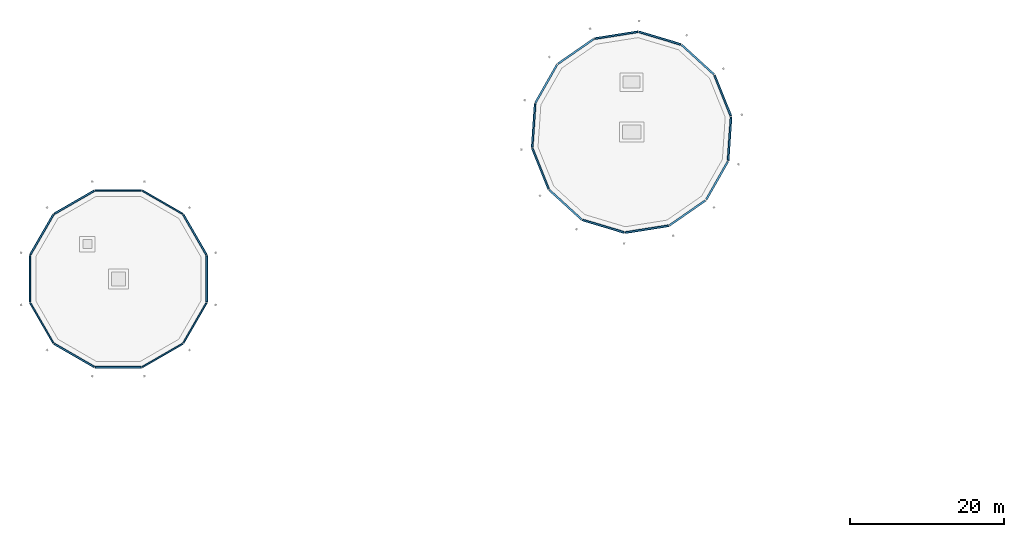
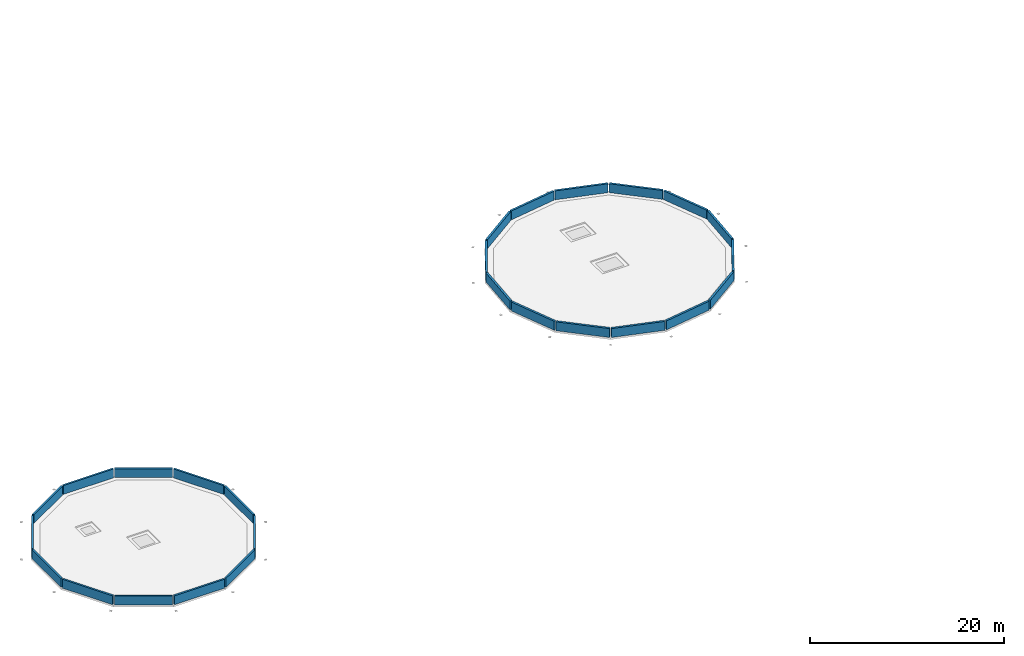
# One storey, part 12 of 18: 26 walls.
"""IFC4 building model written with IfcOpenShell, lengths in metres."""

from ifc_helpers import new_model, si_unit, direction, frame, frame_2d, origin, place, context, subcontext, project, spatial, rectangle, extrude, material, layer, layer_set, type_object, element, save


model = new_model("IFC4")

# Units and contexts
model_context = context("Model", 3, precision=1e-05, world=origin(), true_north=direction((0.0, 1.0)))
body_context = subcontext(model_context, "Body", "Model", "MODEL_VIEW")
ifc_project = project(units=[si_unit("LENGTHUNIT", "METRE"), si_unit("AREAUNIT", "SQUARE_METRE"), si_unit("VOLUMEUNIT", "CUBIC_METRE"), si_unit("PLANEANGLEUNIT", "RADIAN"), si_unit("MASSUNIT", "GRAM", prefix="KILO")], contexts=[model_context])

# Site, building, storey
site_placement = place(None, origin())
site = spatial("IfcSite", under=ifc_project, at=site_placement, CompositionType="ELEMENT")
building_placement = place(site_placement, origin())
building = spatial("IfcBuilding", under=site, at=building_placement, Name="Wrenclough Park School", CompositionType="ELEMENT")
storey_placement = place(building_placement, frame((0.0, 0.0, 20.800048828125)))
storey = spatial("IfcBuildingStorey", under=building, at=storey_placement, Name="L05", CompositionType="ELEMENT", Elevation=20.800048828125)

# Walls
ifc_material_1 = material(Name="Capped Staffordshire blue-grey brick parapet", Category="masonry")
ifc_layer_1 = layer(ifc_material_1, 0.215087890625)
ifc_layer_set_1 = layer_set([ifc_layer_1], Name="Capped Staffordshire blue-grey brick parapet")
wall_type_1 = type_object("IfcWallType", Name="ENV-PW-215", PredefinedType="PARAPET", material=ifc_layer_set_1)
for number, where, z_axis, x_axis, name in (
    (1, (27.912109375, 92.64111328125, 0.0), (0.0, 0.0, 1.0), (-0.500017373705, 0.866015372839, 0.0), "D3-ROOF cylindrical drum parapet wall 070"),
    (2, (24.8125, 97.92626953125, 0.0), (0.0, 0.0, 1.0), (-0.866015372839, 0.500017373705, 0.0), "D3-ROOF cylindrical drum parapet wall 071"),
):
    element("IfcWall", number, at=place(storey_placement, frame(where, z_axis=z_axis, x_axis=x_axis)), inside=storey, type_object=wall_type_1, Name=name, PredefinedType="PARAPET", context=body_context, shape_type="SweptSolid", body=[
        extrude(rectangle(XDim=5.971435546875, YDim=0.215087890625, at=frame_2d((2.98583984375, 0.0))), origin(), (0.0, 0.0, 1.0), 1.119873046875),
    ])
wall_1_placement = place(storey_placement, frame((19.48583984375, 100.95361328125, 0.0), z_axis=(0.0, 0.0, 1.0), x_axis=(-1.0, 0.0, 0.0)))
element("IfcWall", 3, at=wall_1_placement, inside=storey, type_object=wall_type_1, Name="D3-ROOF cylindrical drum parapet wall 072", PredefinedType="PARAPET", context=body_context, shape_type="SweptSolid", body=[
    extrude(rectangle(XDim=5.9716796875, YDim=0.215087890625, at=frame_2d((2.98583984375, 0.0))), origin(), (0.0, 0.0, 1.0), 1.119873046875),
])
for number, where, z_axis, x_axis, name in (
    (4, (13.35888671875, 100.912109375, 0.0), (0.0, 0.0, 1.0), (-0.866015372839, -0.500017373705, 0.0), "D3-ROOF cylindrical drum parapet wall 073"),
    (5, (8.07373046875, 97.8125, 0.0), (0.0, 0.0, 1.0), (-0.500017373705, -0.866015372839, 0.0), "D3-ROOF cylindrical drum parapet wall 074"),
):
    element("IfcWall", number, at=place(storey_placement, frame(where, z_axis=z_axis, x_axis=x_axis)), inside=storey, type_object=wall_type_1, Name=name, PredefinedType="PARAPET", context=body_context, shape_type="SweptSolid", body=[
        extrude(rectangle(XDim=5.971435546875, YDim=0.215087890625, at=frame_2d((2.98583984375, 0.0))), origin(), (0.0, 0.0, 1.0), 1.119873046875),
    ])
wall_2_placement = place(storey_placement, frame((5.04638671875, 92.48583984375, 0.0), z_axis=(0.0, 0.0, 1.0), x_axis=(0.0, -1.0, 0.0)))
element("IfcWall", 6, at=wall_2_placement, inside=storey, type_object=wall_type_1, Name="D3-ROOF cylindrical drum parapet wall 075", PredefinedType="PARAPET", context=body_context, shape_type="SweptSolid", body=[
    extrude(rectangle(XDim=5.9716796875, YDim=0.215087890625, at=frame_2d((2.98583984375, 0.0))), origin(), (0.0, 0.0, 1.0), 1.119873046875),
])
for number, where, z_axis, x_axis, name in (
    (7, (5.087890625, 86.35888671875, 0.0), (0.0, 0.0, 1.0), (0.500017373705, -0.866015372839, 0.0), "D3-ROOF cylindrical drum parapet wall 076"),
    (8, (8.1875, 81.07373046875, 0.0), (0.0, 0.0, 1.0), (0.866015372839, -0.500017373705, 0.0), "D3-ROOF cylindrical drum parapet wall 077"),
):
    element("IfcWall", number, at=place(storey_placement, frame(where, z_axis=z_axis, x_axis=x_axis)), inside=storey, type_object=wall_type_1, Name=name, PredefinedType="PARAPET", context=body_context, shape_type="SweptSolid", body=[
        extrude(rectangle(XDim=5.971435546875, YDim=0.215087890625, at=frame_2d((2.98583984375, 0.0))), origin(), (0.0, 0.0, 1.0), 1.119873046875),
    ])
wall_3_placement = place(storey_placement, frame((13.51416015625, 78.04638671875, 0.0), z_axis=(0.0, 0.0, 1.0), x_axis=(1.0, 0.0, 0.0)))
element("IfcWall", 9, at=wall_3_placement, inside=storey, type_object=wall_type_1, Name="D3-ROOF cylindrical drum parapet wall 078", PredefinedType="PARAPET", context=body_context, shape_type="SweptSolid", body=[
    extrude(rectangle(XDim=5.9716796875, YDim=0.215087890625, at=frame_2d((2.98583984375, 0.0))), origin(), (0.0, 0.0, 1.0), 1.119873046875),
])
for number, where, z_axis, x_axis, name in (
    (10, (19.64111328125, 78.087890625, 0.0), (0.0, 0.0, 1.0), (0.866015372839, 0.500017373705, 0.0), "D3-ROOF cylindrical drum parapet wall 079"),
    (11, (24.92626953125, 81.1875, 0.0), (0.0, 0.0, 1.0), (0.500017373705, 0.866015372839, 0.0), "D3-ROOF cylindrical drum parapet wall 080"),
):
    element("IfcWall", number, at=place(storey_placement, frame(where, z_axis=z_axis, x_axis=x_axis)), inside=storey, type_object=wall_type_1, Name=name, PredefinedType="PARAPET", context=body_context, shape_type="SweptSolid", body=[
        extrude(rectangle(XDim=5.971435546875, YDim=0.215087890625, at=frame_2d((2.98583984375, 0.0))), origin(), (0.0, 0.0, 1.0), 1.119873046875),
    ])
wall_4_placement = place(storey_placement, frame((27.95361328125, 86.51416015625, 0.0), z_axis=(0.0, 0.0, 1.0), x_axis=(0.0, 1.0, 0.0)))
element("IfcWall", 12, at=wall_4_placement, inside=storey, type_object=wall_type_1, Name="D3-ROOF cylindrical drum parapet wall 081", PredefinedType="PARAPET", context=body_context, shape_type="SweptSolid", body=[
    extrude(rectangle(XDim=5.9716796875, YDim=0.215087890625, at=frame_2d((2.98583984375, 0.0))), origin(), (0.0, 0.0, 1.0), 1.119873046875),
])
ifc_material_2 = material(Name="Capped Manchester multi-stock brick parapet", Category="masonry")
ifc_layer_2 = layer(ifc_material_2, 0.239990234375)
ifc_layer_set_2 = layer_set([ifc_layer_2], Name="Capped Manchester multi-stock brick parapet")
wall_type_2 = type_object("IfcWallType", Name="ENV-PW-240", PredefinedType="PARAPET", material=ifc_layer_set_2)
wall_5_placement = place(storey_placement, frame((95.853515625, 110.620361328125, 0.0), z_axis=(0.0, 0.0, 1.0), x_axis=(-0.372272004524, 0.92812367422, 0.0)))
element("IfcWall", 13, at=wall_5_placement, inside=storey, type_object=wall_type_2, Name="D4-ROOF cylindrical drum parapet wall 082", PredefinedType="PARAPET", context=body_context, shape_type="SweptSolid", body=[
    extrude(rectangle(XDim=5.634765625, YDim=0.239990234375, at=frame_2d((2.8173828125, 0.0))), origin(), (0.0, 0.0, 1.0), 1.119873046875),
])
for number, where, z_axis, x_axis, name in (
    (14, (93.66064453125, 115.9873046875, 0.0), (0.0, 0.0, 1.0), (-0.738112035343, 0.674678162743, 0.0), "D4-ROOF cylindrical drum parapet wall 083"),
    (15, (89.356201171875, 119.871337890625, 0.0), (0.0, 0.0, 1.0), (-0.957745154192, 0.287618183746, 0.0), "D4-ROOF cylindrical drum parapet wall 084"),
    (16, (83.79296875, 121.503173828125, 0.0), (0.0, 0.0, 1.0), (-0.987684144789, -0.156460954018, 0.0), "D4-ROOF cylindrical drum parapet wall 085"),
):
    element("IfcWall", number, at=place(storey_placement, frame(where, z_axis=z_axis, x_axis=x_axis)), inside=storey, type_object=wall_type_2, Name=name, PredefinedType="PARAPET", context=body_context, shape_type="SweptSolid", body=[
        extrude(rectangle(XDim=5.634521484375, YDim=0.239990234375, at=frame_2d((2.8173828125, 0.0))), origin(), (0.0, 0.0, 1.0), 1.119873046875),
    ])
wall_6_placement = place(storey_placement, frame((78.072509765625, 120.5595703125, 0.0), z_axis=(0.0, 0.0, 1.0), x_axis=(-0.821984680252, -0.569509600824, 0.0)))
element("IfcWall", 17, at=wall_6_placement, inside=storey, type_object=wall_type_2, Name="D4-ROOF cylindrical drum parapet wall 086", PredefinedType="PARAPET", context=body_context, shape_type="SweptSolid", body=[
    extrude(rectangle(XDim=5.634765625, YDim=0.239990234375, at=frame_2d((2.8173828125, 0.0))), origin(), (0.0, 0.0, 1.0), 1.119873046875),
])
for number, where, z_axis, x_axis, name in (
    (18, (73.327880859375, 117.227294921875, 0.0), (0.0, 0.0, 1.0), (-0.493481510217, -0.869756287171, 0.0), "D4-ROOF cylindrical drum parapet wall 087"),
    (19, (70.499267578125, 112.16650390625, 0.0), (0.0, 0.0, 1.0), (-0.067289707431, -0.997733479078, 0.0), "D4-ROOF cylindrical drum parapet wall 088"),
):
    element("IfcWall", number, at=place(storey_placement, frame(where, z_axis=z_axis, x_axis=x_axis)), inside=storey, type_object=wall_type_2, Name=name, PredefinedType="PARAPET", context=body_context, shape_type="SweptSolid", body=[
        extrude(rectangle(XDim=5.634521484375, YDim=0.239990234375, at=frame_2d((2.8173828125, 0.0))), origin(), (0.0, 0.0, 1.0), 1.119873046875),
    ])
wall_7_placement = place(storey_placement, frame((70.146484375, 106.379638671875, 0.0), z_axis=(0.0, 0.0, 1.0), x_axis=(0.372272004524, -0.92812367422, 0.0)))
element("IfcWall", 20, at=wall_7_placement, inside=storey, type_object=wall_type_2, Name="D4-ROOF cylindrical drum parapet wall 089", PredefinedType="PARAPET", context=body_context, shape_type="SweptSolid", body=[
    extrude(rectangle(XDim=5.634765625, YDim=0.239990234375, at=frame_2d((2.8173828125, 0.0))), origin(), (0.0, 0.0, 1.0), 1.119873046875),
])
for number, where, z_axis, x_axis, name in (
    (21, (72.33935546875, 101.0126953125, 0.0), (0.0, 0.0, 1.0), (0.738112035343, -0.674678162743, 0.0), "D4-ROOF cylindrical drum parapet wall 090"),
    (22, (76.643798828125, 97.128662109375, 0.0), (0.0, 0.0, 1.0), (0.957745154192, -0.287618183746, 0.0), "D4-ROOF cylindrical drum parapet wall 091"),
    (23, (82.20703125, 95.496826171875, 0.0), (0.0, 0.0, 1.0), (0.987684144789, 0.156460954018, 0.0), "D4-ROOF cylindrical drum parapet wall 092"),
):
    element("IfcWall", number, at=place(storey_placement, frame(where, z_axis=z_axis, x_axis=x_axis)), inside=storey, type_object=wall_type_2, Name=name, PredefinedType="PARAPET", context=body_context, shape_type="SweptSolid", body=[
        extrude(rectangle(XDim=5.634521484375, YDim=0.239990234375, at=frame_2d((2.8173828125, 0.0))), origin(), (0.0, 0.0, 1.0), 1.119873046875),
    ])
wall_8_placement = place(storey_placement, frame((87.927490234375, 96.4404296875, 0.0), z_axis=(0.0, 0.0, 1.0), x_axis=(0.821984680252, 0.569509600824, 0.0)))
element("IfcWall", 24, at=wall_8_placement, inside=storey, type_object=wall_type_2, Name="D4-ROOF cylindrical drum parapet wall 093", PredefinedType="PARAPET", context=body_context, shape_type="SweptSolid", body=[
    extrude(rectangle(XDim=5.634765625, YDim=0.239990234375, at=frame_2d((2.8173828125, 0.0))), origin(), (0.0, 0.0, 1.0), 1.119873046875),
])
for number, where, z_axis, x_axis, name in (
    (25, (92.672119140625, 99.772705078125, 0.0), (0.0, 0.0, 1.0), (0.493481510217, 0.869756287171, 0.0), "D4-ROOF cylindrical drum parapet wall 094"),
    (26, (95.500732421875, 104.83349609375, 0.0), (0.0, 0.0, 1.0), (0.067289707431, 0.997733479078, 0.0), "D4-ROOF cylindrical drum parapet wall 095"),
):
    element("IfcWall", number, at=place(storey_placement, frame(where, z_axis=z_axis, x_axis=x_axis)), inside=storey, type_object=wall_type_2, Name=name, PredefinedType="PARAPET", context=body_context, shape_type="SweptSolid", body=[
        extrude(rectangle(XDim=5.634521484375, YDim=0.239990234375, at=frame_2d((2.8173828125, 0.0))), origin(), (0.0, 0.0, 1.0), 1.119873046875),
    ])

save(model, "model.ifc")
